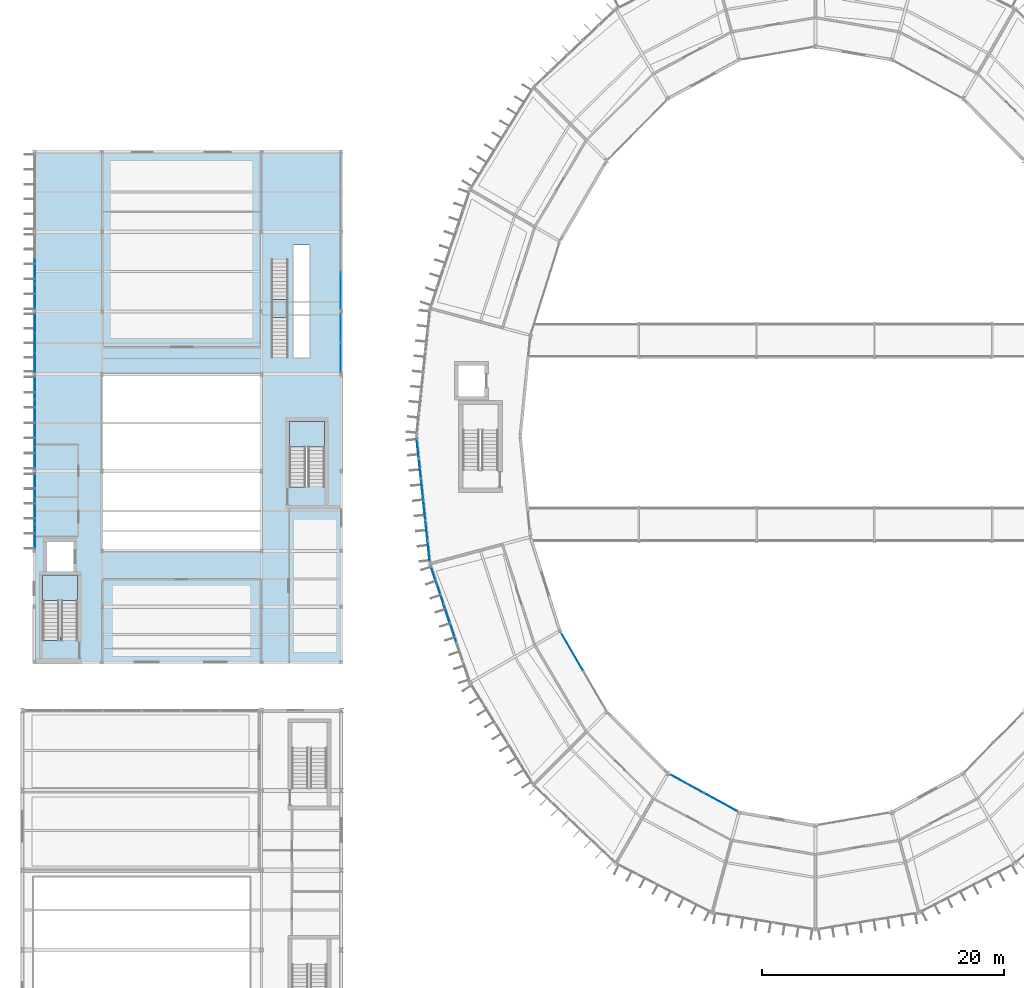
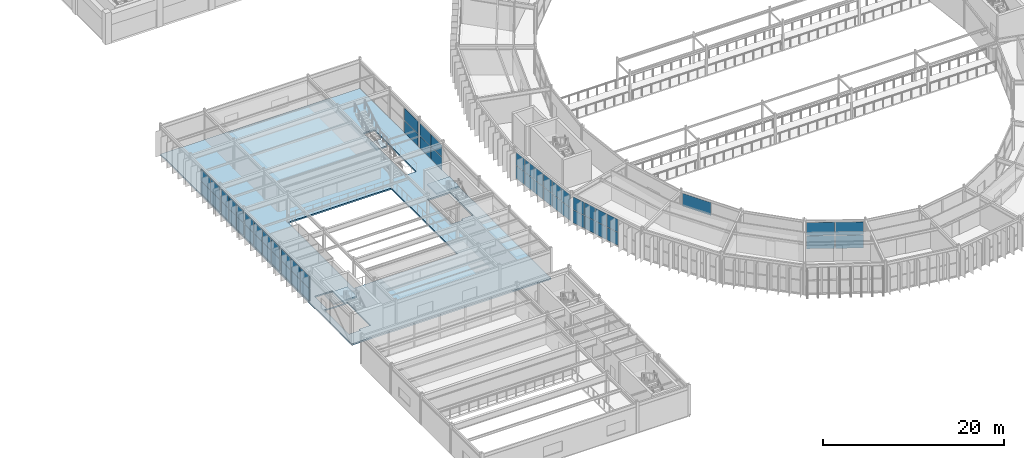
# One storey, part 100 of 148: 55 plates, 4 slabs, 13 elements without a shape of their own.
"""IFC4 building model written with IfcOpenShell, lengths in metres."""

from ifc_helpers import new_model, si_unit, direction, frame, origin, origin_2d, place, context, subcontext, project, spatial, polyline, rectangle, outline, extrude, material, layer, layer_set, type_object, element, aggregate, save


model = new_model("IFC4")

# Units and contexts
model_context = context("Model", 3, precision=1e-05, world=origin(), true_north=direction((0.0, 1.0)))
body_context = subcontext(model_context, "Body", "Model", "MODEL_VIEW")
ifc_project = project(units=[si_unit("LENGTHUNIT", "METRE"), si_unit("AREAUNIT", "SQUARE_METRE"), si_unit("VOLUMEUNIT", "CUBIC_METRE"), si_unit("PLANEANGLEUNIT", "RADIAN"), si_unit("MASSUNIT", "GRAM", prefix="KILO")], contexts=[model_context])

# Site, building, storey
site_placement = place(None, origin())
site = spatial("IfcSite", under=ifc_project, at=site_placement, CompositionType="ELEMENT")
building_placement = place(site_placement, origin())
building = spatial("IfcBuilding", under=site, at=building_placement, Name="Karori Crest Natural Sciences Institute", CompositionType="ELEMENT")
storey_placement = place(building_placement, frame((0.0, 0.0, 4.89990234375)))
storey = spatial("IfcBuildingStorey", under=building, at=storey_placement, Name="L01", CompositionType="ELEMENT", Elevation=4.89990234375)

# Curtain wall, plates
ifc_material_1 = material(Name="Anodised architectural aluminium 6063-T6", Category="aluminium")
curtain_wall_type_1 = type_object("IfcCurtainWallType", Name="CWT-03", PredefinedType="NOTDEFINED", material=ifc_material_1)
curtain_wall_1_placement = place(storey_placement, origin())
curtain_wall_1 = element("IfcCurtainWall", 1, at=curtain_wall_1_placement, inside=storey, type_object=curtain_wall_type_1, Name="Curtain wall CW-0048", PredefinedType="NOTDEFINED")
ifc_material_2 = material(Name="Double low-E laminated glass", Category="glass")
ifc_layer_1 = layer(ifc_material_2, 0.02392578125, Name="Double low-E laminated glass")
ifc_layer_set_1 = layer_set([ifc_layer_1], Name="Double low-E laminated glass")
plate_type_1 = type_object("IfcPlateType", Name="CWP-01", PredefinedType="CURTAIN_PANEL", material=ifc_layer_set_1)
plate_1_placement = place(storey_placement, frame((34.4130859375, 40.385498046875, 0.06494140625), z_axis=(0.0, 0.0, 1.0), x_axis=(-0.105881615789, 0.994378742451, 0.0)))
plate_1 = element("IfcPlate", 2, at=plate_1_placement, type_object=plate_type_1, Name="CW-0048 panel 1.1", PredefinedType="CURTAIN_PANEL", context=body_context, shape_type="SweptSolid", body=[
    extrude(rectangle(XDim=1.60107421875, YDim=0.02392578125, at=origin_2d()), origin(), (0.0, 0.0, 1.0), 1.715087890625),
])
plate_2_placement = place(storey_placement, frame((34.4130859375, 40.385498046875, 1.84521484375), z_axis=(0.0, 0.0, 1.0), x_axis=(-0.105881615789, 0.994378742451, 0.0)))
plate_2 = element("IfcPlate", 3, at=plate_2_placement, type_object=plate_type_1, Name="CW-0048 panel 1.2", PredefinedType="CURTAIN_PANEL", context=body_context, shape_type="SweptSolid", body=[
    extrude(rectangle(XDim=1.60107421875, YDim=0.02392578125, at=origin_2d()), origin(), (0.0, 0.0, 1.0), 1.715087890625),
])
plate_3_placement = place(storey_placement, frame((34.233642578125, 42.07080078125, 0.06494140625), z_axis=(0.0, 0.0, 1.0), x_axis=(-0.105881615789, 0.994378742451, 0.0)))
plate_3 = element("IfcPlate", 4, at=plate_3_placement, type_object=plate_type_1, Name="CW-0048 panel 2.1", PredefinedType="CURTAIN_PANEL", context=body_context, shape_type="SweptSolid", body=[
    extrude(rectangle(XDim=1.638427734375, YDim=0.02392578125, at=origin_2d()), origin(), (0.0, 0.0, 1.0), 1.715087890625),
])
plate_4_placement = place(storey_placement, frame((34.233642578125, 42.07080078125, 1.84521484375), z_axis=(0.0, 0.0, 1.0), x_axis=(-0.105881615789, 0.994378742451, 0.0)))
plate_4 = element("IfcPlate", 5, at=plate_4_placement, type_object=plate_type_1, Name="CW-0048 panel 2.2", PredefinedType="CURTAIN_PANEL", context=body_context, shape_type="SweptSolid", body=[
    extrude(rectangle(XDim=1.638427734375, YDim=0.02392578125, at=origin_2d()), origin(), (0.0, 0.0, 1.0), 1.715087890625),
])
plate_5_placement = place(storey_placement, frame((34.05224609375, 43.77490234375, 0.06494140625), z_axis=(0.0, 0.0, 1.0), x_axis=(-0.105881615789, 0.994378742451, 0.0)))
plate_5 = element("IfcPlate", 6, at=plate_5_placement, type_object=plate_type_1, Name="CW-0048 panel 3.1", PredefinedType="CURTAIN_PANEL", context=body_context, shape_type="SweptSolid", body=[
    extrude(rectangle(XDim=1.638427734375, YDim=0.02392578125, at=origin_2d()), origin(), (0.0, 0.0, 1.0), 1.715087890625),
])
plate_6_placement = place(storey_placement, frame((34.05224609375, 43.77490234375, 1.84521484375), z_axis=(0.0, 0.0, 1.0), x_axis=(-0.105881615789, 0.994378742451, 0.0)))
plate_6 = element("IfcPlate", 7, at=plate_6_placement, type_object=plate_type_1, Name="CW-0048 panel 3.2", PredefinedType="CURTAIN_PANEL", context=body_context, shape_type="SweptSolid", body=[
    extrude(rectangle(XDim=1.638427734375, YDim=0.02392578125, at=origin_2d()), origin(), (0.0, 0.0, 1.0), 1.715087890625),
])
plate_7_placement = place(storey_placement, frame((33.870849609375, 45.478759765625, 0.06494140625), z_axis=(0.0, 0.0, 1.0), x_axis=(-0.105881615789, 0.994378742451, 0.0)))
plate_7 = element("IfcPlate", 8, at=plate_7_placement, type_object=plate_type_1, Name="CW-0048 panel 4.1", PredefinedType="CURTAIN_PANEL", context=body_context, shape_type="SweptSolid", body=[
    extrude(rectangle(XDim=1.638427734375, YDim=0.02392578125, at=origin_2d()), origin(), (0.0, 0.0, 1.0), 1.715087890625),
])
plate_8_placement = place(storey_placement, frame((33.870849609375, 45.478759765625, 1.84521484375), z_axis=(0.0, 0.0, 1.0), x_axis=(-0.105881615789, 0.994378742451, 0.0)))
plate_8 = element("IfcPlate", 9, at=plate_8_placement, type_object=plate_type_1, Name="CW-0048 panel 4.2", PredefinedType="CURTAIN_PANEL", context=body_context, shape_type="SweptSolid", body=[
    extrude(rectangle(XDim=1.638427734375, YDim=0.02392578125, at=origin_2d()), origin(), (0.0, 0.0, 1.0), 1.715087890625),
])
plate_9_placement = place(storey_placement, frame((33.689453125, 47.1826171875, 0.06494140625), z_axis=(0.0, 0.0, 1.0), x_axis=(-0.105881615789, 0.994378742451, 0.0)))
plate_9 = element("IfcPlate", 10, at=plate_9_placement, type_object=plate_type_1, Name="CW-0048 panel 5.1", PredefinedType="CURTAIN_PANEL", context=body_context, shape_type="SweptSolid", body=[
    extrude(rectangle(XDim=1.638427734375, YDim=0.02392578125, at=origin_2d()), origin(), (0.0, 0.0, 1.0), 1.715087890625),
])
plate_10_placement = place(storey_placement, frame((33.689453125, 47.1826171875, 1.84521484375), z_axis=(0.0, 0.0, 1.0), x_axis=(-0.105881615789, 0.994378742451, 0.0)))
plate_10 = element("IfcPlate", 11, at=plate_10_placement, type_object=plate_type_1, Name="CW-0048 panel 5.2", PredefinedType="CURTAIN_PANEL", context=body_context, shape_type="SweptSolid", body=[
    extrude(rectangle(XDim=1.638427734375, YDim=0.02392578125, at=origin_2d()), origin(), (0.0, 0.0, 1.0), 1.715087890625),
])
plate_11_placement = place(storey_placement, frame((33.510009765625, 48.867919921875, 0.06494140625), z_axis=(0.0, 0.0, 1.0), x_axis=(-0.105881615789, 0.994378742451, 0.0)))
plate_11 = element("IfcPlate", 12, at=plate_11_placement, type_object=plate_type_1, Name="CW-0048 panel 6.1", PredefinedType="CURTAIN_PANEL", context=body_context, shape_type="SweptSolid", body=[
    extrude(rectangle(XDim=1.60107421875, YDim=0.02392578125, at=origin_2d()), origin(), (0.0, 0.0, 1.0), 1.715087890625),
])
plate_12_placement = place(storey_placement, frame((33.510009765625, 48.867919921875, 1.84521484375), z_axis=(0.0, 0.0, 1.0), x_axis=(-0.105881615789, 0.994378742451, 0.0)))
plate_12 = element("IfcPlate", 13, at=plate_12_placement, type_object=plate_type_1, Name="CW-0048 panel 6.2", PredefinedType="CURTAIN_PANEL", context=body_context, shape_type="SweptSolid", body=[
    extrude(rectangle(XDim=1.60107421875, YDim=0.02392578125, at=origin_2d()), origin(), (0.0, 0.0, 1.0), 1.715087890625),
])
aggregate(curtain_wall_1, [plate_1, plate_2, plate_3, plate_4, plate_5, plate_6, plate_7, plate_8, plate_9, plate_10, plate_11, plate_12])

# Curtain wall, plate
curtain_wall_type_2 = type_object("IfcCurtainWallType", Name="CWT-15", PredefinedType="NOTDEFINED", material=ifc_material_1)
curtain_wall_2_placement = place(storey_placement, origin())
curtain_wall_2 = element("IfcCurtainWall", 14, at=curtain_wall_2_placement, inside=storey, type_object=curtain_wall_type_2, Name="Curtain wall CW-0051", PredefinedType="NOTDEFINED")
plate_13_placement = place(storey_placement, frame((46.274658203125, 32.070556640625, 1.85498046875), z_axis=(0.0, 0.0, 1.0), x_axis=(0.502659683982, -0.864484379326, 0.0)))
plate_13 = element("IfcPlate", 15, at=plate_13_placement, type_object=plate_type_1, Name="CW-0051 panel 1.2", PredefinedType="CURTAIN_PANEL", context=body_context, shape_type="SweptSolid", body=[
    extrude(rectangle(XDim=3.602294921875, YDim=0.02392578125, at=origin_2d()), origin(), (0.0, 0.0, 1.0), 1.735107421875),
])
aggregate(curtain_wall_2, [plate_13])

# Curtain wall, plates
curtain_wall_type_3 = type_object("IfcCurtainWallType", Name="CWT-12", PredefinedType="NOTDEFINED", material=ifc_material_1)
curtain_wall_3_placement = place(storey_placement, origin())
curtain_wall_3 = element("IfcCurtainWall", 16, at=curtain_wall_3_placement, inside=storey, type_object=curtain_wall_type_3, Name="Curtain wall CW-0054", PredefinedType="NOTDEFINED")
plate_14_placement = place(storey_placement, frame((55.76904296875, 21.15625, 0.06005859375), z_axis=(0.0, 0.0, 1.0), x_axis=(0.877463514084, -0.479643389875, 0.0)))
plate_14 = element("IfcPlate", 17, at=plate_14_placement, type_object=plate_type_1, Name="CW-0054 panel 1.1", PredefinedType="CURTAIN_PANEL", context=body_context, shape_type="SweptSolid", body=[
    extrude(rectangle(XDim=3.102783203125, YDim=0.02392578125, at=origin_2d()), origin(), (0.0, 0.0, 1.0), 1.735107421875),
])
plate_15_placement = place(storey_placement, frame((55.76904296875, 21.15625, 1.85498046875), z_axis=(0.0, 0.0, 1.0), x_axis=(0.877463514084, -0.479643389875, 0.0)))
plate_15 = element("IfcPlate", 18, at=plate_15_placement, type_object=plate_type_1, Name="CW-0054 panel 1.2", PredefinedType="CURTAIN_PANEL", context=body_context, shape_type="SweptSolid", body=[
    extrude(rectangle(XDim=3.102783203125, YDim=0.02392578125, at=origin_2d()), origin(), (0.0, 0.0, 1.0), 1.735107421875),
])
plate_16_placement = place(storey_placement, frame((58.548583984375, 19.636962890625, 0.06005859375), z_axis=(0.0, 0.0, 1.0), x_axis=(0.877463514084, -0.479643389875, 0.0)))
plate_16 = element("IfcPlate", 19, at=plate_16_placement, type_object=plate_type_1, Name="CW-0054 panel 2.1", PredefinedType="CURTAIN_PANEL", context=body_context, shape_type="SweptSolid", body=[
    extrude(rectangle(XDim=3.102783203125, YDim=0.02392578125, at=origin_2d()), origin(), (0.0, 0.0, 1.0), 1.735107421875),
])
plate_17_placement = place(storey_placement, frame((58.548583984375, 19.636962890625, 1.85498046875), z_axis=(0.0, 0.0, 1.0), x_axis=(0.877463514084, -0.479643389875, 0.0)))
plate_17 = element("IfcPlate", 20, at=plate_17_placement, type_object=plate_type_1, Name="CW-0054 panel 2.2", PredefinedType="CURTAIN_PANEL", context=body_context, shape_type="SweptSolid", body=[
    extrude(rectangle(XDim=3.102783203125, YDim=0.02392578125, at=origin_2d()), origin(), (0.0, 0.0, 1.0), 1.735107421875),
])
aggregate(curtain_wall_3, [plate_14, plate_15, plate_16, plate_17])

curtain_wall_type_4 = type_object("IfcCurtainWallType", Name="CWT-17", PredefinedType="NOTDEFINED", material=ifc_material_1)
curtain_wall_4_placement = place(storey_placement, origin())
curtain_wall_4 = element("IfcCurtainWall", 21, at=curtain_wall_4_placement, inside=storey, type_object=curtain_wall_type_4, Name="Curtain wall CW-0262", PredefinedType="NOTDEFINED")
plate_18_placement = place(storey_placement, frame((1.860107421875, 41.59814453125, 0.06005859375), z_axis=(0.0, 0.0, 1.0), x_axis=(0.0, 1.0, 0.0)))
plate_18 = element("IfcPlate", 22, at=plate_18_placement, type_object=plate_type_1, Name="CW-0262 panel 1.1", PredefinedType="CURTAIN_PANEL", context=body_context, shape_type="SweptSolid", body=[
    extrude(rectangle(XDim=2.0205078125, YDim=0.02392578125, at=origin_2d()), origin(), (0.0, 0.0, 1.0), 1.632568359375),
])
plate_19_placement = place(storey_placement, frame((1.860107421875, 41.59814453125, 1.75244140625), z_axis=(0.0, 0.0, 1.0), x_axis=(0.0, 1.0, 0.0)))
plate_19 = element("IfcPlate", 23, at=plate_19_placement, type_object=plate_type_1, Name="CW-0262 panel 1.2", PredefinedType="CURTAIN_PANEL", context=body_context, shape_type="SweptSolid", body=[
    extrude(rectangle(XDim=2.0205078125, YDim=0.02392578125, at=origin_2d()), origin(), (0.0, 0.0, 1.0), 1.632568359375),
])
plate_20_placement = place(storey_placement, frame((1.860107421875, 43.699951171875, 0.06005859375), z_axis=(0.0, 0.0, 1.0), x_axis=(0.0, 1.0, 0.0)))
plate_20 = element("IfcPlate", 24, at=plate_20_placement, type_object=plate_type_1, Name="CW-0262 panel 2.1", PredefinedType="CURTAIN_PANEL", context=body_context, shape_type="SweptSolid", body=[
    extrude(rectangle(XDim=2.052978515625, YDim=0.02392578125, at=origin_2d()), origin(), (0.0, 0.0, 1.0), 1.632568359375),
])
plate_21_placement = place(storey_placement, frame((1.860107421875, 43.699951171875, 1.75244140625), z_axis=(0.0, 0.0, 1.0), x_axis=(0.0, 1.0, 0.0)))
plate_21 = element("IfcPlate", 25, at=plate_21_placement, type_object=plate_type_1, Name="CW-0262 panel 2.2", PredefinedType="CURTAIN_PANEL", context=body_context, shape_type="SweptSolid", body=[
    extrude(rectangle(XDim=2.052978515625, YDim=0.02392578125, at=origin_2d()), origin(), (0.0, 0.0, 1.0), 1.632568359375),
])
plate_22_placement = place(storey_placement, frame((1.860107421875, 45.8017578125, 0.06005859375), z_axis=(0.0, 0.0, 1.0), x_axis=(0.0, 1.0, 0.0)))
plate_22 = element("IfcPlate", 26, at=plate_22_placement, type_object=plate_type_1, Name="CW-0262 panel 3.1", PredefinedType="CURTAIN_PANEL", context=body_context, shape_type="SweptSolid", body=[
    extrude(rectangle(XDim=2.0205078125, YDim=0.02392578125, at=origin_2d()), origin(), (0.0, 0.0, 1.0), 1.632568359375),
])
plate_23_placement = place(storey_placement, frame((1.860107421875, 45.8017578125, 1.75244140625), z_axis=(0.0, 0.0, 1.0), x_axis=(0.0, 1.0, 0.0)))
plate_23 = element("IfcPlate", 27, at=plate_23_placement, type_object=plate_type_1, Name="CW-0262 panel 3.2", PredefinedType="CURTAIN_PANEL", context=body_context, shape_type="SweptSolid", body=[
    extrude(rectangle(XDim=2.0205078125, YDim=0.02392578125, at=origin_2d()), origin(), (0.0, 0.0, 1.0), 1.632568359375),
])
aggregate(curtain_wall_4, [plate_18, plate_19, plate_20, plate_21, plate_22, plate_23])

curtain_wall_5_placement = place(storey_placement, origin())
curtain_wall_5 = element("IfcCurtainWall", 28, at=curtain_wall_5_placement, inside=storey, type_object=curtain_wall_type_4, Name="Curtain wall CW-0263", PredefinedType="NOTDEFINED")
plate_24_placement = place(storey_placement, frame((1.860107421875, 48.1083984375, 0.06005859375), z_axis=(0.0, 0.0, 1.0), x_axis=(0.0, 1.0, 0.0)))
plate_24 = element("IfcPlate", 29, at=plate_24_placement, type_object=plate_type_1, Name="CW-0263 panel 1.1", PredefinedType="CURTAIN_PANEL", context=body_context, shape_type="SweptSolid", body=[
    extrude(rectangle(XDim=1.841064453125, YDim=0.02392578125, at=origin_2d()), origin(), (0.0, 0.0, 1.0), 1.632568359375),
])
plate_25_placement = place(storey_placement, frame((1.860107421875, 48.1083984375, 1.75244140625), z_axis=(0.0, 0.0, 1.0), x_axis=(0.0, 1.0, 0.0)))
plate_25 = element("IfcPlate", 30, at=plate_25_placement, type_object=plate_type_1, Name="CW-0263 panel 1.2", PredefinedType="CURTAIN_PANEL", context=body_context, shape_type="SweptSolid", body=[
    extrude(rectangle(XDim=1.841064453125, YDim=0.02392578125, at=origin_2d()), origin(), (0.0, 0.0, 1.0), 1.632568359375),
])
plate_26_placement = place(storey_placement, frame((1.860107421875, 50.03076171875, 0.06005859375), z_axis=(0.0, 0.0, 1.0), x_axis=(0.0, 1.0, 0.0)))
plate_26 = element("IfcPlate", 31, at=plate_26_placement, type_object=plate_type_1, Name="CW-0263 panel 2.1", PredefinedType="CURTAIN_PANEL", context=body_context, shape_type="SweptSolid", body=[
    extrude(rectangle(XDim=1.87353515625, YDim=0.02392578125, at=origin_2d()), origin(), (0.0, 0.0, 1.0), 1.632568359375),
])
plate_27_placement = place(storey_placement, frame((1.860107421875, 50.03076171875, 1.75244140625), z_axis=(0.0, 0.0, 1.0), x_axis=(0.0, 1.0, 0.0)))
plate_27 = element("IfcPlate", 32, at=plate_27_placement, type_object=plate_type_1, Name="CW-0263 panel 2.2", PredefinedType="CURTAIN_PANEL", context=body_context, shape_type="SweptSolid", body=[
    extrude(rectangle(XDim=1.87353515625, YDim=0.02392578125, at=origin_2d()), origin(), (0.0, 0.0, 1.0), 1.632568359375),
])
plate_28_placement = place(storey_placement, frame((1.860107421875, 51.96923828125, 0.06005859375), z_axis=(0.0, 0.0, 1.0), x_axis=(0.0, 1.0, 0.0)))
plate_28 = element("IfcPlate", 33, at=plate_28_placement, type_object=plate_type_1, Name="CW-0263 panel 3.1", PredefinedType="CURTAIN_PANEL", context=body_context, shape_type="SweptSolid", body=[
    extrude(rectangle(XDim=1.87353515625, YDim=0.02392578125, at=origin_2d()), origin(), (0.0, 0.0, 1.0), 1.632568359375),
])
plate_29_placement = place(storey_placement, frame((1.860107421875, 51.96923828125, 1.75244140625), z_axis=(0.0, 0.0, 1.0), x_axis=(0.0, 1.0, 0.0)))
plate_29 = element("IfcPlate", 34, at=plate_29_placement, type_object=plate_type_1, Name="CW-0263 panel 3.2", PredefinedType="CURTAIN_PANEL", context=body_context, shape_type="SweptSolid", body=[
    extrude(rectangle(XDim=1.87353515625, YDim=0.02392578125, at=origin_2d()), origin(), (0.0, 0.0, 1.0), 1.632568359375),
])
plate_30_placement = place(storey_placement, frame((1.860107421875, 53.8916015625, 0.06005859375), z_axis=(0.0, 0.0, 1.0), x_axis=(0.0, 1.0, 0.0)))
plate_30 = element("IfcPlate", 35, at=plate_30_placement, type_object=plate_type_1, Name="CW-0263 panel 4.1", PredefinedType="CURTAIN_PANEL", context=body_context, shape_type="SweptSolid", body=[
    extrude(rectangle(XDim=1.841064453125, YDim=0.02392578125, at=origin_2d()), origin(), (0.0, 0.0, 1.0), 1.632568359375),
])
plate_31_placement = place(storey_placement, frame((1.860107421875, 53.8916015625, 1.75244140625), z_axis=(0.0, 0.0, 1.0), x_axis=(0.0, 1.0, 0.0)))
plate_31 = element("IfcPlate", 36, at=plate_31_placement, type_object=plate_type_1, Name="CW-0263 panel 4.2", PredefinedType="CURTAIN_PANEL", context=body_context, shape_type="SweptSolid", body=[
    extrude(rectangle(XDim=1.841064453125, YDim=0.02392578125, at=origin_2d()), origin(), (0.0, 0.0, 1.0), 1.632568359375),
])
aggregate(curtain_wall_5, [plate_24, plate_25, plate_26, plate_27, plate_28, plate_29, plate_30, plate_31])

curtain_wall_6_placement = place(storey_placement, origin())
curtain_wall_6 = element("IfcCurtainWall", 37, at=curtain_wall_6_placement, inside=storey, type_object=curtain_wall_type_4, Name="Curtain wall CW-0264", PredefinedType="NOTDEFINED")
plate_32_placement = place(storey_placement, frame((1.860107421875, 55.96484375, 0.06005859375), z_axis=(0.0, 0.0, 1.0), x_axis=(0.0, 1.0, 0.0)))
plate_32 = element("IfcPlate", 38, at=plate_32_placement, type_object=plate_type_1, Name="CW-0264 panel 1.1", PredefinedType="CURTAIN_PANEL", context=body_context, shape_type="SweptSolid", body=[
    extrude(rectangle(XDim=1.553955078125, YDim=0.02392578125, at=origin_2d()), origin(), (0.0, 0.0, 1.0), 1.632568359375),
])
plate_33_placement = place(storey_placement, frame((1.860107421875, 55.96484375, 1.75244140625), z_axis=(0.0, 0.0, 1.0), x_axis=(0.0, 1.0, 0.0)))
plate_33 = element("IfcPlate", 39, at=plate_33_placement, type_object=plate_type_1, Name="CW-0264 panel 1.2", PredefinedType="CURTAIN_PANEL", context=body_context, shape_type="SweptSolid", body=[
    extrude(rectangle(XDim=1.553955078125, YDim=0.02392578125, at=origin_2d()), origin(), (0.0, 0.0, 1.0), 1.632568359375),
])
plate_34_placement = place(storey_placement, frame((1.860107421875, 57.60009765625, 0.06005859375), z_axis=(0.0, 0.0, 1.0), x_axis=(0.0, 1.0, 0.0)))
plate_34 = element("IfcPlate", 40, at=plate_34_placement, type_object=plate_type_1, Name="CW-0264 panel 2.1", PredefinedType="CURTAIN_PANEL", context=body_context, shape_type="SweptSolid", body=[
    extrude(rectangle(XDim=1.58642578125, YDim=0.02392578125, at=origin_2d()), origin(), (0.0, 0.0, 1.0), 1.632568359375),
])
plate_35_placement = place(storey_placement, frame((1.860107421875, 57.60009765625, 1.75244140625), z_axis=(0.0, 0.0, 1.0), x_axis=(0.0, 1.0, 0.0)))
plate_35 = element("IfcPlate", 41, at=plate_35_placement, type_object=plate_type_1, Name="CW-0264 panel 2.2", PredefinedType="CURTAIN_PANEL", context=body_context, shape_type="SweptSolid", body=[
    extrude(rectangle(XDim=1.58642578125, YDim=0.02392578125, at=origin_2d()), origin(), (0.0, 0.0, 1.0), 1.632568359375),
])
plate_36_placement = place(storey_placement, frame((1.860107421875, 59.235107421875, 0.06005859375), z_axis=(0.0, 0.0, 1.0), x_axis=(0.0, 1.0, 0.0)))
plate_36 = element("IfcPlate", 42, at=plate_36_placement, type_object=plate_type_1, Name="CW-0264 panel 3.1", PredefinedType="CURTAIN_PANEL", context=body_context, shape_type="SweptSolid", body=[
    extrude(rectangle(XDim=1.553955078125, YDim=0.02392578125, at=origin_2d()), origin(), (0.0, 0.0, 1.0), 1.632568359375),
])
plate_37_placement = place(storey_placement, frame((1.860107421875, 59.235107421875, 1.75244140625), z_axis=(0.0, 0.0, 1.0), x_axis=(0.0, 1.0, 0.0)))
plate_37 = element("IfcPlate", 43, at=plate_37_placement, type_object=plate_type_1, Name="CW-0264 panel 3.2", PredefinedType="CURTAIN_PANEL", context=body_context, shape_type="SweptSolid", body=[
    extrude(rectangle(XDim=1.553955078125, YDim=0.02392578125, at=origin_2d()), origin(), (0.0, 0.0, 1.0), 1.632568359375),
])
aggregate(curtain_wall_6, [plate_32, plate_33, plate_34, plate_35, plate_36, plate_37])

curtain_wall_7_placement = place(storey_placement, origin())
curtain_wall_7 = element("IfcCurtainWall", 44, at=curtain_wall_7_placement, inside=storey, type_object=curtain_wall_type_4, Name="Curtain wall CW-0265", PredefinedType="NOTDEFINED")
plate_38_placement = place(storey_placement, frame((1.860107421875, 61.398193359375, 0.06005859375), z_axis=(0.0, 0.0, 1.0), x_axis=(0.0, 1.0, 0.0)))
plate_38 = element("IfcPlate", 45, at=plate_38_placement, type_object=plate_type_1, Name="CW-0265 panel 1.1", PredefinedType="CURTAIN_PANEL", context=body_context, shape_type="SweptSolid", body=[
    extrude(rectangle(XDim=2.0205078125, YDim=0.02392578125, at=origin_2d()), origin(), (0.0, 0.0, 1.0), 1.632568359375),
])
plate_39_placement = place(storey_placement, frame((1.860107421875, 61.398193359375, 1.75244140625), z_axis=(0.0, 0.0, 1.0), x_axis=(0.0, 1.0, 0.0)))
plate_39 = element("IfcPlate", 46, at=plate_39_placement, type_object=plate_type_1, Name="CW-0265 panel 1.2", PredefinedType="CURTAIN_PANEL", context=body_context, shape_type="SweptSolid", body=[
    extrude(rectangle(XDim=2.0205078125, YDim=0.02392578125, at=origin_2d()), origin(), (0.0, 0.0, 1.0), 1.632568359375),
])
plate_40_placement = place(storey_placement, frame((1.860107421875, 63.5, 0.06005859375), z_axis=(0.0, 0.0, 1.0), x_axis=(0.0, 1.0, 0.0)))
plate_40 = element("IfcPlate", 47, at=plate_40_placement, type_object=plate_type_1, Name="CW-0265 panel 2.1", PredefinedType="CURTAIN_PANEL", context=body_context, shape_type="SweptSolid", body=[
    extrude(rectangle(XDim=2.052978515625, YDim=0.02392578125, at=origin_2d()), origin(), (0.0, 0.0, 1.0), 1.632568359375),
])
plate_41_placement = place(storey_placement, frame((1.860107421875, 63.5, 1.75244140625), z_axis=(0.0, 0.0, 1.0), x_axis=(0.0, 1.0, 0.0)))
plate_41 = element("IfcPlate", 48, at=plate_41_placement, type_object=plate_type_1, Name="CW-0265 panel 2.2", PredefinedType="CURTAIN_PANEL", context=body_context, shape_type="SweptSolid", body=[
    extrude(rectangle(XDim=2.052978515625, YDim=0.02392578125, at=origin_2d()), origin(), (0.0, 0.0, 1.0), 1.632568359375),
])
aggregate(curtain_wall_7, [plate_38, plate_39, plate_40, plate_41])

curtain_wall_type_5 = type_object("IfcCurtainWallType", Name="CWT-18", PredefinedType="NOTDEFINED", material=ifc_material_1)
curtain_wall_8_placement = place(storey_placement, origin())
curtain_wall_8 = element("IfcCurtainWall", 49, at=curtain_wall_8_placement, inside=storey, type_object=curtain_wall_type_5, Name="Curtain wall CW-0267", PredefinedType="NOTDEFINED")
plate_42_placement = place(storey_placement, frame((27.139892578125, 58.822265625, 0.06005859375), z_axis=(0.0, 0.0, 1.0), x_axis=(0.0, -1.0, 0.0)))
plate_42 = element("IfcPlate", 50, at=plate_42_placement, type_object=plate_type_1, Name="CW-0267 panel 1.1", PredefinedType="CURTAIN_PANEL", context=body_context, shape_type="SweptSolid", body=[
    extrude(rectangle(XDim=2.37939453125, YDim=0.02392578125, at=origin_2d()), origin(), (0.0, 0.0, 1.0), 1.632568359375),
])
plate_43_placement = place(storey_placement, frame((27.139892578125, 58.822265625, 1.75244140625), z_axis=(0.0, 0.0, 1.0), x_axis=(0.0, -1.0, 0.0)))
plate_43 = element("IfcPlate", 51, at=plate_43_placement, type_object=plate_type_1, Name="CW-0267 panel 1.2", PredefinedType="CURTAIN_PANEL", context=body_context, shape_type="SweptSolid", body=[
    extrude(rectangle(XDim=2.37939453125, YDim=0.02392578125, at=origin_2d()), origin(), (0.0, 0.0, 1.0), 1.632568359375),
])
plate_44_placement = place(storey_placement, frame((27.139892578125, 56.377685546875, 0.06005859375), z_axis=(0.0, 0.0, 1.0), x_axis=(0.0, -1.0, 0.0)))
plate_44 = element("IfcPlate", 52, at=plate_44_placement, type_object=plate_type_1, Name="CW-0267 panel 2.1", PredefinedType="CURTAIN_PANEL", context=body_context, shape_type="SweptSolid", body=[
    extrude(rectangle(XDim=2.37939453125, YDim=0.02392578125, at=origin_2d()), origin(), (0.0, 0.0, 1.0), 1.632568359375),
])
plate_45_placement = place(storey_placement, frame((27.139892578125, 56.377685546875, 1.75244140625), z_axis=(0.0, 0.0, 1.0), x_axis=(0.0, -1.0, 0.0)))
plate_45 = element("IfcPlate", 53, at=plate_45_placement, type_object=plate_type_1, Name="CW-0267 panel 2.2", PredefinedType="CURTAIN_PANEL", context=body_context, shape_type="SweptSolid", body=[
    extrude(rectangle(XDim=2.37939453125, YDim=0.02392578125, at=origin_2d()), origin(), (0.0, 0.0, 1.0), 1.632568359375),
])
aggregate(curtain_wall_8, [plate_42, plate_43, plate_44, plate_45])

curtain_wall_9_placement = place(storey_placement, origin())
curtain_wall_9 = element("IfcCurtainWall", 54, at=curtain_wall_9_placement, inside=storey, type_object=curtain_wall_type_5, Name="Curtain wall CW-0268", PredefinedType="NOTDEFINED")
plate_46_placement = place(storey_placement, frame((27.139892578125, 61.927734375, 0.06005859375), z_axis=(0.0, 0.0, 1.0), x_axis=(0.0, -1.0, 0.0)))
plate_46 = element("IfcPlate", 55, at=plate_46_placement, type_object=plate_type_1, Name="CW-0268 panel 2.1", PredefinedType="CURTAIN_PANEL", context=body_context, shape_type="SweptSolid", body=[
    extrude(rectangle(XDim=3.07958984375, YDim=0.02392578125, at=origin_2d()), origin(), (0.0, 0.0, 1.0), 1.632568359375),
])
plate_47_placement = place(storey_placement, frame((27.139892578125, 61.927734375, 1.75244140625), z_axis=(0.0, 0.0, 1.0), x_axis=(0.0, -1.0, 0.0)))
plate_47 = element("IfcPlate", 56, at=plate_47_placement, type_object=plate_type_1, Name="CW-0268 panel 2.2", PredefinedType="CURTAIN_PANEL", context=body_context, shape_type="SweptSolid", body=[
    extrude(rectangle(XDim=3.07958984375, YDim=0.02392578125, at=origin_2d()), origin(), (0.0, 0.0, 1.0), 1.632568359375),
])
aggregate(curtain_wall_9, [plate_46, plate_47])

curtain_wall_type_6 = type_object("IfcCurtainWallType", Name="CWT-04", PredefinedType="NOTDEFINED", material=ifc_material_1)
curtain_wall_10_placement = place(storey_placement, origin())
curtain_wall_10 = element("IfcCurtainWall", 57, at=curtain_wall_10_placement, inside=storey, type_object=curtain_wall_type_6, Name="Curtain wall CW-0049", PredefinedType="NOTDEFINED")
ifc_layer_2 = layer(ifc_material_2, 0.033935546875, Name="Double low-E laminated glass")
ifc_layer_set_2 = layer_set([ifc_layer_2], Name="Double low-E laminated glass")
plate_type_2 = type_object("IfcPlateType", Name="CWP-02", PredefinedType="CURTAIN_PANEL", material=ifc_layer_set_2)
plate_48_placement = place(storey_placement, frame((36.441162109375, 33.619140625, 0.06005859375), z_axis=(0.0, 0.0, 1.0), x_axis=(-0.317685267462, 0.948196219586, 0.0)))
plate_48 = element("IfcPlate", 58, at=plate_48_placement, type_object=plate_type_2, Name="CW-0049 panel 3.1", PredefinedType="CURTAIN_PANEL", context=body_context, shape_type="SweptSolid", body=[
    extrude(rectangle(XDim=1.5986328125, YDim=0.033935546875, at=origin_2d()), origin(), (0.0, 0.0, 1.0), 1.722412109375),
])
plate_49_placement = place(storey_placement, frame((36.441162109375, 33.619140625, 1.8427734375), z_axis=(0.0, 0.0, 1.0), x_axis=(-0.317685267462, 0.948196219586, 0.0)))
plate_49 = element("IfcPlate", 59, at=plate_49_placement, type_object=plate_type_2, Name="CW-0049 panel 3.2", PredefinedType="CURTAIN_PANEL", context=body_context, shape_type="SweptSolid", body=[
    extrude(rectangle(XDim=1.5986328125, YDim=0.033935546875, at=origin_2d()), origin(), (0.0, 0.0, 1.0), 1.722412109375),
])
plate_50_placement = place(storey_placement, frame((35.909423828125, 35.2060546875, 0.06005859375), z_axis=(0.0, 0.0, 1.0), x_axis=(-0.317685267462, 0.948196219586, 0.0)))
plate_50 = element("IfcPlate", 60, at=plate_50_placement, type_object=plate_type_2, Name="CW-0049 panel 4.1", PredefinedType="CURTAIN_PANEL", context=body_context, shape_type="SweptSolid", body=[
    extrude(rectangle(XDim=1.5986328125, YDim=0.033935546875, at=origin_2d()), origin(), (0.0, 0.0, 1.0), 1.722412109375),
])
plate_51_placement = place(storey_placement, frame((35.909423828125, 35.2060546875, 1.8427734375), z_axis=(0.0, 0.0, 1.0), x_axis=(-0.317685267462, 0.948196219586, 0.0)))
plate_51 = element("IfcPlate", 61, at=plate_51_placement, type_object=plate_type_2, Name="CW-0049 panel 4.2", PredefinedType="CURTAIN_PANEL", context=body_context, shape_type="SweptSolid", body=[
    extrude(rectangle(XDim=1.5986328125, YDim=0.033935546875, at=origin_2d()), origin(), (0.0, 0.0, 1.0), 1.722412109375),
])
plate_52_placement = place(storey_placement, frame((35.377685546875, 36.79296875, 0.06005859375), z_axis=(0.0, 0.0, 1.0), x_axis=(-0.317685267462, 0.948196219586, 0.0)))
plate_52 = element("IfcPlate", 62, at=plate_52_placement, type_object=plate_type_2, Name="CW-0049 panel 5.1", PredefinedType="CURTAIN_PANEL", context=body_context, shape_type="SweptSolid", body=[
    extrude(rectangle(XDim=1.5986328125, YDim=0.033935546875, at=origin_2d()), origin(), (0.0, 0.0, 1.0), 1.722412109375),
])
plate_53_placement = place(storey_placement, frame((35.377685546875, 36.79296875, 1.8427734375), z_axis=(0.0, 0.0, 1.0), x_axis=(-0.317685267462, 0.948196219586, 0.0)))
plate_53 = element("IfcPlate", 63, at=plate_53_placement, type_object=plate_type_2, Name="CW-0049 panel 5.2", PredefinedType="CURTAIN_PANEL", context=body_context, shape_type="SweptSolid", body=[
    extrude(rectangle(XDim=1.5986328125, YDim=0.033935546875, at=origin_2d()), origin(), (0.0, 0.0, 1.0), 1.722412109375),
])
plate_54_placement = place(storey_placement, frame((34.85205078125, 38.3623046875, 0.06005859375), z_axis=(0.0, 0.0, 1.0), x_axis=(-0.317685267462, 0.948196219586, 0.0)))
plate_54 = element("IfcPlate", 64, at=plate_54_placement, type_object=plate_type_2, Name="CW-0049 panel 6.1", PredefinedType="CURTAIN_PANEL", context=body_context, shape_type="SweptSolid", body=[
    extrude(rectangle(XDim=1.561279296875, YDim=0.033935546875, at=origin_2d()), origin(), (0.0, 0.0, 1.0), 1.722412109375),
])
plate_55_placement = place(storey_placement, frame((34.85205078125, 38.3623046875, 1.8427734375), z_axis=(0.0, 0.0, 1.0), x_axis=(-0.317685267462, 0.948196219586, 0.0)))
plate_55 = element("IfcPlate", 65, at=plate_55_placement, type_object=plate_type_2, Name="CW-0049 panel 6.2", PredefinedType="CURTAIN_PANEL", context=body_context, shape_type="SweptSolid", body=[
    extrude(rectangle(XDim=1.561279296875, YDim=0.033935546875, at=origin_2d()), origin(), (0.0, 0.0, 1.0), 1.722412109375),
])
aggregate(curtain_wall_10, [plate_48, plate_49, plate_50, plate_51, plate_52, plate_53, plate_54, plate_55])

# Slab
ifc_material_3 = material(Name="Concrete 40 MPa", Category="concrete")
ifc_layer_3 = layer(ifc_material_3, 0.199951171875, Name="Concrete 40 MPa")
ifc_layer_set_3 = layer_set([ifc_layer_3], Name="Concrete 40 MPa")
slab_type_1 = type_object("IfcSlabType", Name="SLT-08", PredefinedType="FLOOR", material=ifc_layer_set_3)
slab_1_placement = place(storey_placement, frame((0.0, 0.0, -0.199951171875)))
element("IfcSlab", 66, at=slab_1_placement, inside=storey, type_object=slab_type_1, Name="V3 Slab SL-0118", PredefinedType="FLOOR", context=body_context, shape_type="SweptSolid", body=[
    extrude(outline(polyline([(1.800048828125, 31.199951171875), (27.199951171875, 31.199951171875), (27.199951171875, 73.39990234375), (1.800048828125, 73.39990234375), (1.800048828125, 31.199951171875)]), holes=[polyline([(7.39990234375, 55.0), (20.60009765625, 55.0), (20.60009765625, 40.39990234375), (7.39990234375, 40.39990234375), (7.39990234375, 55.0)]), polyline([(5.39990234375, 33.280029296875), (3.949951171875, 33.280029296875), (3.949951171875, 33.00048828125), (2.5, 33.00048828125), (2.5, 38.39990234375), (5.39990234375, 38.39990234375), (5.39990234375, 33.280029296875)]), polyline([(25.800048828125, 45.97998046875), (24.35009765625, 45.97998046875), (24.35009765625, 45.700439453125), (22.89990234375, 45.700439453125), (22.89990234375, 51.10009765625), (25.800048828125, 51.10009765625), (25.800048828125, 45.97998046875)]), polyline([(23.22509765625, 65.699462890625), (24.574951171875, 65.699462890625), (24.574951171875, 56.39990234375), (23.22509765625, 56.39990234375), (23.22509765625, 65.699462890625)]), polyline([(2.824951171875, 41.175048828125), (5.074951171875, 41.175048828125), (5.074951171875, 38.425048828125), (2.824951171875, 38.425048828125), (2.824951171875, 41.175048828125)])]), origin(), (0.0, 0.0, 1.0), 0.199951171875),
])

# Stair, slab
stair_type_1 = type_object("IfcStairType", Name="STT-01", PredefinedType="HALF_TURN_STAIR", material=ifc_material_3)
stair_1_placement = place(storey_placement, origin())
stair_1 = element("IfcStair", 67, at=stair_1_placement, inside=storey, type_object=stair_type_1, Name="Protected stair ST-07-L01", PredefinedType="HALF_TURN_STAIR")
ifc_layer_4 = layer(ifc_material_3, 0.2099609375, Name="Concrete 40 MPa")
ifc_layer_set_4 = layer_set([ifc_layer_4], Name="Concrete 40 MPa")
slab_type_2 = type_object("IfcSlabType", Name="SLT-11", PredefinedType="LANDING", material=ifc_layer_set_4)
slab_2_placement = place(storey_placement, frame((0.0, 0.0, 1.89013671875)))
slab_2 = element("IfcSlab", 68, at=slab_2_placement, type_object=slab_type_2, Name="ST-07-L01 landing 1", PredefinedType="LANDING", context=body_context, shape_type="SweptSolid", body=[
    extrude(outline(polyline([(5.39990234375, 36.300048828125), (5.39990234375, 38.39990234375), (2.5, 38.39990234375), (2.5, 36.300048828125), (5.39990234375, 36.300048828125)])), origin(), (0.0, 0.0, 1.0), 0.2099609375),
])
aggregate(stair_1, [slab_2])

stair_2_placement = place(storey_placement, origin())
stair_2 = element("IfcStair", 69, at=stair_2_placement, inside=storey, type_object=stair_type_1, Name="Protected stair ST-08-L01", PredefinedType="HALF_TURN_STAIR")
slab_3_placement = place(storey_placement, frame((0.0, 0.0, 1.89013671875)))
slab_3 = element("IfcSlab", 70, at=slab_3_placement, type_object=slab_type_2, Name="ST-08-L01 landing 1", PredefinedType="LANDING", context=body_context, shape_type="SweptSolid", body=[
    extrude(outline(polyline([(25.800048828125, 49.0), (25.800048828125, 51.10009765625), (22.89990234375, 51.10009765625), (22.89990234375, 49.0), (25.800048828125, 49.0)])), origin(), (0.0, 0.0, 1.0), 0.2099609375),
])
aggregate(stair_2, [slab_3])

stair_type_2 = type_object("IfcStairType", Name="STT-05", PredefinedType="STRAIGHT_RUN_STAIR", material=ifc_material_3)
stair_3_placement = place(storey_placement, origin())
stair_3 = element("IfcStair", 71, at=stair_3_placement, inside=storey, type_object=stair_type_2, Name="Feature straight stair ST-12", PredefinedType="STRAIGHT_RUN_STAIR")
slab_4_placement = place(storey_placement, frame((0.0, 0.0, 1.89013671875)))
slab_4 = element("IfcSlab", 72, at=slab_4_placement, type_object=slab_type_2, Name="ST-12 landing 1", PredefinedType="LANDING", context=body_context, shape_type="SweptSolid", body=[
    extrude(outline(polyline([(21.425048828125, 59.699951171875), (22.77490234375, 59.699951171875), (22.77490234375, 61.199951171875), (21.425048828125, 61.199951171875), (21.425048828125, 59.699951171875)])), origin(), (0.0, 0.0, 1.0), 0.2099609375),
])
aggregate(stair_3, [slab_4])

save(model, "model.ifc")
